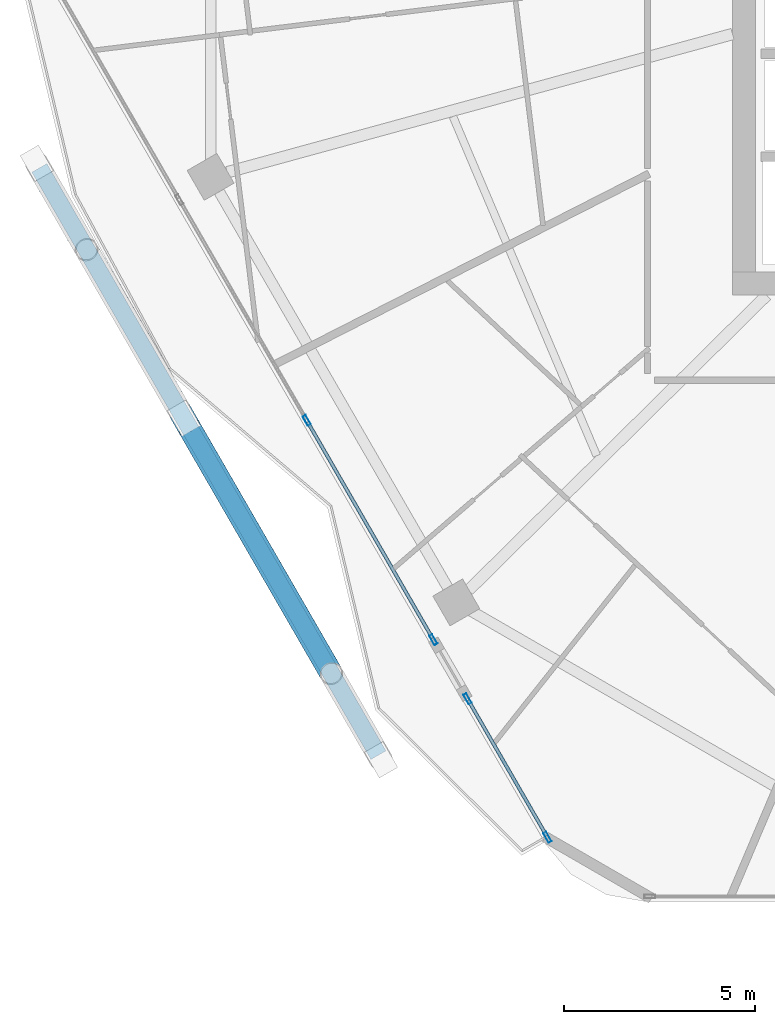
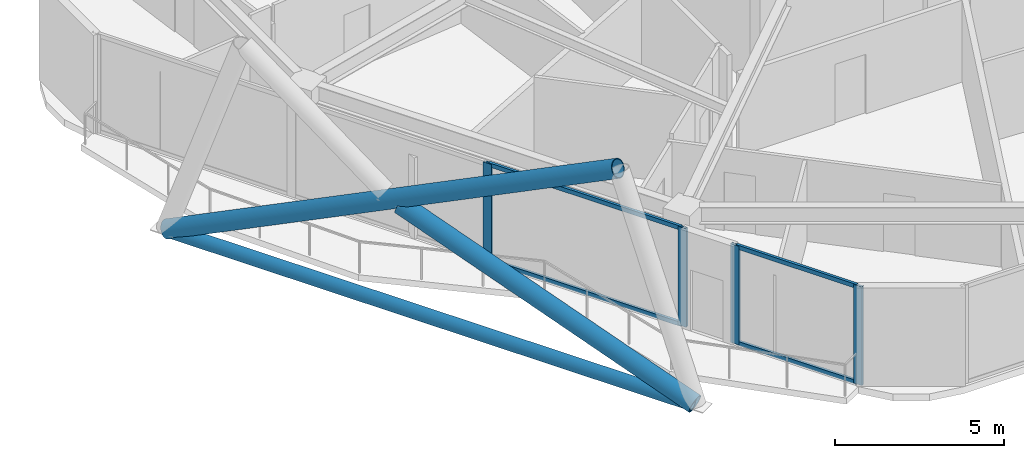
# One storey, part 2 of 27: 11 members, 2 elements without a shape of their own.
"""IFC4 building model written with IfcOpenShell, lengths in metres."""

from ifc_helpers import new_model, si_unit, direction, frame, origin, origin_2d, place, context, subcontext, project, spatial, hollow_rectangle, hollow_circle, extrude, material, material_profile, profile_set, type_object, element, aggregate, save


model = new_model("IFC4")

# Units and contexts
model_context = context("Model", 3, precision=1e-05, world=origin(), true_north=direction((0.0, 1.0)))
body_context = subcontext(model_context, "Body", "Model", "MODEL_VIEW")
ifc_project = project(units=[si_unit("LENGTHUNIT", "METRE"), si_unit("AREAUNIT", "SQUARE_METRE"), si_unit("VOLUMEUNIT", "CUBIC_METRE"), si_unit("PLANEANGLEUNIT", "RADIAN"), si_unit("MASSUNIT", "GRAM", prefix="KILO")], contexts=[model_context])

# Site, building, storey
site_placement = place(None, origin())
site = spatial("IfcSite", under=ifc_project, at=site_placement, CompositionType="ELEMENT")
building_placement = place(site_placement, origin())
building = spatial("IfcBuilding", under=site, at=building_placement, Name="Zuhravey Tower", CompositionType="ELEMENT")
storey_placement = place(building_placement, frame((0.0, 0.0, 261.60009765625)))
storey = spatial("IfcBuildingStorey", under=building, at=storey_placement, Name="L66", CompositionType="ELEMENT", Elevation=261.60009765625)

# Curtain wall, members
ifc_material_1 = material(Name="Thermally broken anodised aluminium", Category="aluminium")
curtain_wall_type = type_object("IfcCurtainWallType", Name="Zone 3-4 High-Rise Curtain Wall CW4", PredefinedType="NOTDEFINED", material=ifc_material_1)
curtain_wall_1_placement = place(storey_placement, origin())
curtain_wall_1 = element("IfcCurtainWall", 1, at=curtain_wall_1_placement, inside=storey, type_object=curtain_wall_type, Name="L66 CW4 CW-L66-F4-1", PredefinedType="NOTDEFINED")
ifc_material_2 = material(Name="Anodised aluminium", Category="aluminium")
ifc_material_profile_1 = material_profile(ifc_material_2, hollow_rectangle(XDim=0.090087890625, YDim=0.284912109375, WallThickness=0.0048828125, at=origin_2d()), Name="ALU-RHS-90x285x5")
ifc_profile_set_1 = profile_set([ifc_material_profile_1], Name="Anodised aluminium")
member_type_1 = type_object("IfcMemberType", Name="Curtain-Wall Mullion 90x180", PredefinedType="MULLION", material=ifc_profile_set_1)
member_1_placement = place(storey_placement, frame((20.34521484375, 7.98779296875, 0.0), z_axis=(0.0, 0.0, 1.0), x_axis=(-0.866023045713, -0.500004084278, 0.0)))
member_1 = element("IfcMember", 2, at=member_1_placement, type_object=member_type_1, Name="CW4 mullion 1", PredefinedType="MULLION", context=body_context, shape_type="SweptSolid", body=[
    extrude(hollow_rectangle(XDim=0.090087890625, YDim=0.284912109375, WallThickness=0.0048828125, at=origin_2d()), origin(), (0.0, 0.0, 1.0), 3.5498046875),
])
member_2_placement = place(storey_placement, frame((18.248779296875, 11.61865234375, 0.0), z_axis=(0.0, 0.0, 1.0), x_axis=(-0.866023045713, -0.500004084278, 0.0)))
member_2 = element("IfcMember", 3, at=member_2_placement, type_object=member_type_1, Name="CW4 mullion 2", PredefinedType="MULLION", context=body_context, shape_type="SweptSolid", body=[
    extrude(hollow_rectangle(XDim=0.090087890625, YDim=0.284912109375, WallThickness=0.0048828125, at=origin_2d()), origin(), (0.0, 0.0, 1.0), 3.5498046875),
])

curtain_wall_2_placement = place(storey_placement, origin())
curtain_wall_2 = element("IfcCurtainWall", 4, at=curtain_wall_2_placement, inside=storey, type_object=curtain_wall_type, Name="L66 CW4 CW-L66-F4-2", PredefinedType="NOTDEFINED")
member_3_placement = place(storey_placement, frame((17.353759765625, 13.1689453125, 0.0), z_axis=(0.0, 0.0, 1.0), x_axis=(-0.866025728555, -0.49999943748, 0.0)))
member_3 = element("IfcMember", 5, at=member_3_placement, type_object=member_type_1, Name="CW4 mullion 1", PredefinedType="MULLION", context=body_context, shape_type="SweptSolid", body=[
    extrude(hollow_rectangle(XDim=0.090087890625, YDim=0.284912109375, WallThickness=0.0048828125, at=origin_2d()), origin(), (0.0, 0.0, 1.0), 3.5498046875),
])
member_4_placement = place(storey_placement, frame((14.035888671875, 18.915771484375, 0.0), z_axis=(0.0, 0.0, 1.0), x_axis=(-0.866025728555, -0.49999943748, 0.0)))
member_4 = element("IfcMember", 6, at=member_4_placement, type_object=member_type_1, Name="CW4 mullion 2", PredefinedType="MULLION", context=body_context, shape_type="SweptSolid", body=[
    extrude(hollow_rectangle(XDim=0.090087890625, YDim=0.284912109375, WallThickness=0.0048828125, at=origin_2d()), origin(), (0.0, 0.0, 1.0), 3.5498046875),
])

# Member
ifc_material_profile_2 = material_profile(ifc_material_2, hollow_rectangle(XDim=0.090087890625, YDim=0.14990234375, WallThickness=0.0048828125, at=origin_2d()), Name="ALU-RHS-90x150x5")
ifc_profile_set_2 = profile_set([ifc_material_profile_2], Name="Anodised aluminium")
member_type_2 = type_object("IfcMemberType", Name="Curtain-Wall Transom 90x150", PredefinedType="USERDEFINED", material=ifc_profile_set_2)
member_5_placement = place(storey_placement, frame((20.322509765625, 8.02685546875, 0.044921875), z_axis=(-0.499992034702, 0.866030002502, 0.0), x_axis=(-0.866030002502, -0.499992034702, 0.0)))
member_5 = element("IfcMember", 7, at=member_5_placement, type_object=member_type_2, Name="CW4 transom 1.1", ObjectType="TRANSOM", PredefinedType="USERDEFINED", context=body_context, shape_type="SweptSolid", body=[
    extrude(hollow_rectangle(XDim=0.090087890625, YDim=0.14990234375, WallThickness=0.0048828125, at=origin_2d()), origin(), (0.0, 0.0, 1.0), 4.1025390625),
])

member_6_placement = place(storey_placement, frame((20.322509765625, 8.02685546875, 3.5048828125), z_axis=(-0.499992034702, 0.866030002502, 0.0), x_axis=(-0.866030002502, -0.499992034702, 0.0)))
member_6 = element("IfcMember", 8, at=member_6_placement, type_object=member_type_2, Name="CW4 transom 1.2", ObjectType="TRANSOM", PredefinedType="USERDEFINED", context=body_context, shape_type="SweptSolid", body=[
    extrude(hollow_rectangle(XDim=0.090087890625, YDim=0.14990234375, WallThickness=0.0048828125, at=origin_2d()), origin(), (0.0, 0.0, 1.0), 4.1025390625),
])

aggregate(curtain_wall_1, [member_1, member_2, member_5, member_6])

member_7_placement = place(storey_placement, frame((17.331298828125, 13.207763671875, 0.044921875), z_axis=(-0.499997951001, 0.866026586771, 0.0), x_axis=(-0.866026586771, -0.499997951001, 0.0)))
member_7 = element("IfcMember", 9, at=member_7_placement, type_object=member_type_2, Name="CW4 transom 1.1", ObjectType="TRANSOM", PredefinedType="USERDEFINED", context=body_context, shape_type="SweptSolid", body=[
    extrude(hollow_rectangle(XDim=0.090087890625, YDim=0.14990234375, WallThickness=0.0048828125, at=origin_2d()), origin(), (0.0, 0.0, 1.0), 6.5458984375),
])

member_8_placement = place(storey_placement, frame((17.331298828125, 13.207763671875, 3.5048828125), z_axis=(-0.499997951001, 0.866026586771, 0.0), x_axis=(-0.866026586771, -0.499997951001, 0.0)))
member_8 = element("IfcMember", 10, at=member_8_placement, type_object=member_type_2, Name="CW4 transom 1.2", ObjectType="TRANSOM", PredefinedType="USERDEFINED", context=body_context, shape_type="SweptSolid", body=[
    extrude(hollow_rectangle(XDim=0.090087890625, YDim=0.14990234375, WallThickness=0.0048828125, at=origin_2d()), origin(), (0.0, 0.0, 1.0), 6.5458984375),
])

aggregate(curtain_wall_2, [member_3, member_4, member_7, member_8])

# Members
ifc_material_3 = material(Name="Steel SM355", Category="steel")
ifc_material_profile_3 = material_profile(ifc_material_3, hollow_circle(Radius=0.228515625, WallThickness=0.02197265625, at=origin_2d()), Name="CHS-457.2x22")
ifc_profile_set_3 = profile_set([ifc_material_profile_3], Name="Steel SM355")
member_type_3 = type_object("IfcMemberType", Name="Exoskeleton Ring Tie CHS457x22", PredefinedType="CHORD", material=ifc_profile_set_3)
member_9_placement = place(storey_placement, frame((7.026611328125, 25.536376953125, -0.464111328125), z_axis=(0.499995467921, -0.866028020366, 0.0), x_axis=(0.866028020366, 0.499995467921, 0.0)))
element("IfcMember", 11, at=member_9_placement, inside=storey, type_object=member_type_3, Name="L66 Exoskeleton Face 4 Tie EXR1", PredefinedType="CHORD", context=body_context, shape_type="SweptSolid", body=[
    extrude(hollow_circle(Radius=0.228515625, WallThickness=0.02197265625, at=origin_2d()), origin(), (0.0, 0.0, 1.0), 17.778076171875),
])
ifc_material_profile_4 = material_profile(ifc_material_3, hollow_circle(Radius=0.3046875, WallThickness=0.028076171875, at=origin_2d()), Name="CHS-609.6x28")
ifc_profile_set_4 = profile_set([ifc_material_profile_4], Name="Steel SM355")
member_type_4 = type_object("IfcMemberType", Name="Exoskeleton Zone 3 Diagrid CHS610x28", PredefinedType="BRACE", material=ifc_profile_set_4)
member_10_placement = place(storey_placement, frame((6.974853515625, 25.625732421875, -0.446044921875), z_axis=(0.44858715889, -0.776961798354, 0.441701171357), x_axis=(0.866021515814, 0.500006734102, 0.0)))
element("IfcMember", 12, at=member_10_placement, inside=storey, type_object=member_type_4, Name="L66 Face 4 Diagrid Brace 2", PredefinedType="BRACE", context=body_context, shape_type="SweptSolid", body=[
    extrude(hollow_circle(Radius=0.3046875, WallThickness=0.028076171875, at=origin_2d()), origin(), (0.0, 0.0, 1.0), 17.12451171875),
])
member_11_placement = place(storey_placement, frame((15.96630859375, 10.052001953125, -0.449951171875), z_axis=(-0.469309986719, 0.812868671103, 0.344953127111), x_axis=(-0.866025385035, -0.500000032475, 0.0)))
element("IfcMember", 13, at=member_11_placement, inside=storey, type_object=member_type_4, Name="L66 Face 4 Split Diagrid Brace 3A", PredefinedType="BRACE", context=body_context, shape_type="SweptSolid", body=[
    extrude(hollow_circle(Radius=0.3046875, WallThickness=0.028076171875, at=origin_2d()), origin(), (0.0, 0.0, 1.0), 10.679931640625),
])

save(model, "model.ifc")
